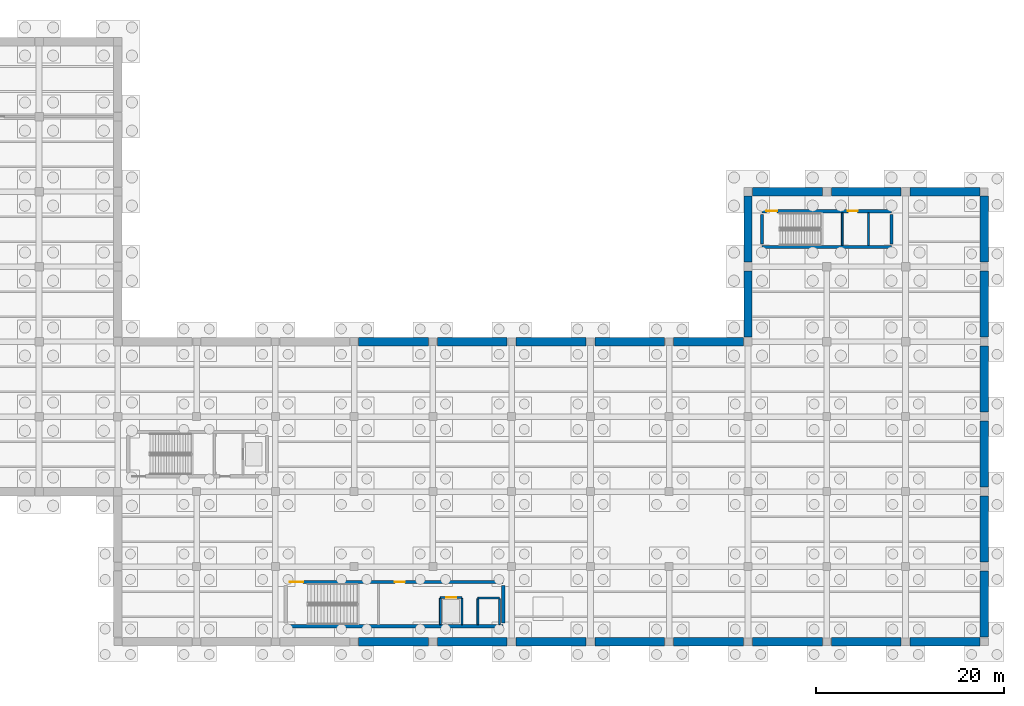
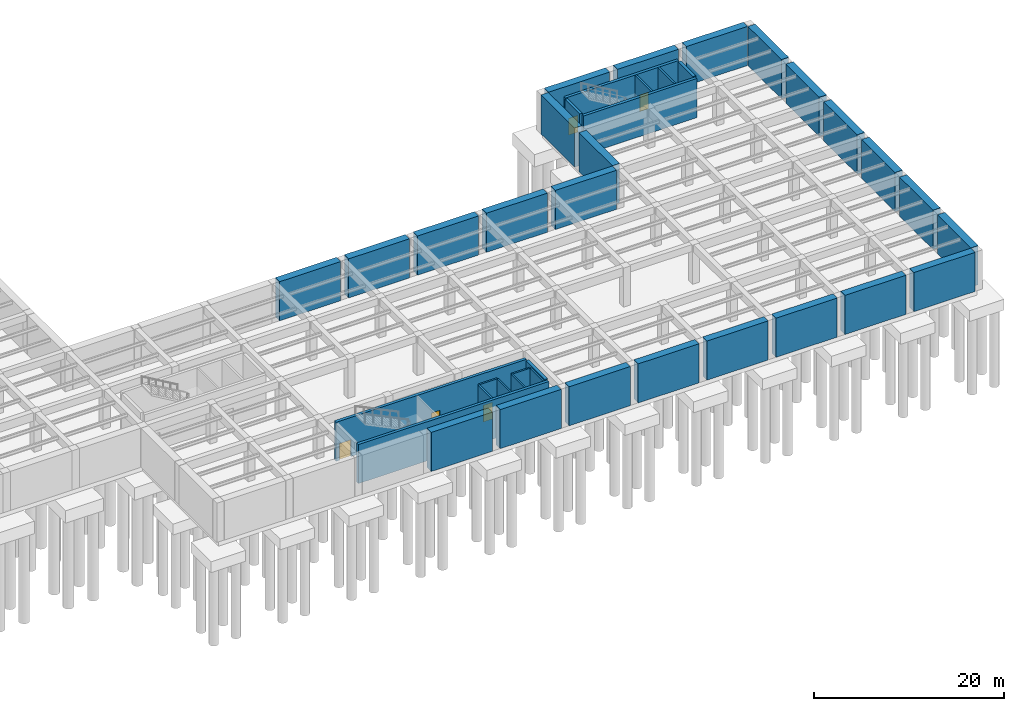
# One storey, part 7 of 12: 39 walls, 5 doors, 5 openings.
"""IFC4 building model written with IfcOpenShell, lengths in metres."""

from ifc_helpers import new_model, si_unit, direction, frame, frame_2d, origin, place, context, subcontext, project, spatial, rectangle, extrude, material, layer, layer_set, type_object, element, fill, save


model = new_model("IFC4")

# Units and contexts
model_context = context("Model", 3, precision=1e-05, world=origin(), true_north=direction((0.0, 1.0)))
body_context = subcontext(model_context, "Body", "Model", "MODEL_VIEW")
ifc_project = project(units=[si_unit("LENGTHUNIT", "METRE"), si_unit("AREAUNIT", "SQUARE_METRE"), si_unit("VOLUMEUNIT", "CUBIC_METRE"), si_unit("PLANEANGLEUNIT", "RADIAN"), si_unit("MASSUNIT", "GRAM", prefix="KILO")], contexts=[model_context])

# Site, building, storey
site_placement = place(None, origin())
site = spatial("IfcSite", under=ifc_project, at=site_placement, CompositionType="ELEMENT")
building_placement = place(site_placement, origin())
building = spatial("IfcBuilding", under=site, at=building_placement, Name="Kranzveld Transit Interchange", CompositionType="ELEMENT")
storey_placement = place(building_placement, frame((0.0, 0.0, -10.8798828125)))
storey = spatial("IfcBuildingStorey", under=building, at=storey_placement, Name="B2", CompositionType="ELEMENT", Elevation=-10.8798828125)

# Wall
ifc_material_1 = material(Name="Concrete C40/50", Category="concrete")
ifc_layer_1 = layer(ifc_material_1, 0.35009765625)
ifc_layer_set_1 = layer_set([ifc_layer_1], Name="Concrete C40/50")
wall_type_1 = type_object("IfcWallType", Name="Core Shear Wall RC 350 C40/50", PredefinedType="SHEAR", material=ifc_layer_set_1)
wall_1_placement = place(storey_placement, frame((102.300048828125, 74.090087890625, 0.0), z_axis=(0.0, 0.0, 1.0), x_axis=(1.0, 0.0, 0.0)))
element("IfcWall", 1, at=wall_1_placement, inside=storey, type_object=wall_type_1, Name="B2 Community Core C3 Shear Wall S", PredefinedType="SHEAR", context=body_context, shape_type="SweptSolid", body=[
    extrude(rectangle(XDim=13.800048828125, YDim=0.35009765625, at=frame_2d((6.89990234375, 0.0))), origin(), (0.0, 0.0, 1.0), 5.039794921875),
])

# Wall, openings, doors
wall_2_placement = place(storey_placement, frame((102.300048828125, 77.909912109375, 0.0), z_axis=(0.0, 0.0, 1.0), x_axis=(1.0, 0.0, 0.0)))
wall_2 = element("IfcWall", 2, at=wall_2_placement, inside=storey, type_object=wall_type_1, Name="B2 Community Core C3 Shear Wall N", PredefinedType="SHEAR", context=body_context, shape_type="SweptSolid", body=[
    extrude(rectangle(XDim=13.800048828125, YDim=0.35009765625, at=frame_2d((6.89990234375, 0.0))), origin(), (0.0, 0.0, 1.0), 5.039794921875),
])
opening_1_placement = place(wall_2_placement, frame((0.449951171875, 0.0, 0.0), z_axis=(0.0, 0.0, 1.0), x_axis=(1.0, 0.0, 0.0)))
opening_1 = element("IfcOpeningElement", 3, at=opening_1_placement, cuts=wall_2, Name="Opening D-ST-C3-B2", PredefinedType="OPENING", context=body_context, shape_type="SweptSolid", body=[
    extrude(rectangle(XDim=1.14990234375, YDim=2.14990234375, at=frame_2d((0.574951171875, 1.074951171875))), frame((0.0, 0.18505859375, 0.0), z_axis=(0.0, -1.0, 0.0), x_axis=(1.0, 0.0, 0.0)), (0.0, 0.0, 1.0), 0.3701171875),
])
opening_2_placement = place(wall_2_placement, frame((9.14990234375, 0.0, 0.0), z_axis=(0.0, 0.0, 1.0), x_axis=(1.0, 0.0, 0.0)))
opening_2 = element("IfcOpeningElement", 4, at=opening_2_placement, cuts=wall_2, Name="Opening D-LB-C3-B2", PredefinedType="OPENING", context=body_context, shape_type="SweptSolid", body=[
    extrude(rectangle(XDim=1.050048828125, YDim=2.14990234375, at=frame_2d((0.52490234375, 1.074951171875))), frame((0.0, 0.18505859375, 0.0), z_axis=(0.0, -1.0, 0.0), x_axis=(1.0, 0.0, 0.0)), (0.0, 0.0, 1.0), 0.3701171875),
])
ifc_material_2 = material(Name="Steel S355JR", Category="steel")
door_type_1 = type_object("IfcDoorType", Name="Lift Lobby Fire Door 1050x2150 FD120S", OperationType="NOTDEFINED", PredefinedType="DOOR", material=ifc_material_2)
door_1_placement = place(opening_2_placement, origin())
door_1 = element("IfcDoor", 5, at=door_1_placement, inside=storey, type_object=door_type_1, Name="B2 Community Core C3 Lift Protected Lobby Door", OperationType="SINGLE_SWING_RIGHT", OverallHeight=2.14990234375, OverallWidth=1.050048828125, PredefinedType="DOOR", context=body_context, shape_type="SweptSolid", body=[
    extrude(rectangle(XDim=1.050048828125, YDim=2.14990234375, at=frame_2d((0.52490234375, 1.074951171875))), frame((0.0, 0.02490234375, 0.0), z_axis=(0.0, -1.0, 0.0), x_axis=(1.0, 0.0, 0.0)), (0.0, 0.0, 1.0), 0.050048828125),
])
fill(opening_2, door_1)
ifc_material_3 = material(Name="Steel S355JR", Category="steel")
door_type_2 = type_object("IfcDoorType", Name="Stair Core Fire Door 1150x2150 FD120S", OperationType="NOTDEFINED", PredefinedType="DOOR", material=ifc_material_3)
door_2_placement = place(opening_1_placement, origin())
door_2 = element("IfcDoor", 6, at=door_2_placement, inside=storey, type_object=door_type_2, Name="B2 ST-V4A Protected Stair Door", OperationType="SINGLE_SWING_RIGHT", OverallHeight=2.14990234375, OverallWidth=1.14990234375, PredefinedType="DOOR", context=body_context, shape_type="SweptSolid", body=[
    extrude(rectangle(XDim=1.14990234375, YDim=2.14990234375, at=frame_2d((0.574951171875, 1.074951171875))), frame((0.0, 0.02490234375, 0.0), z_axis=(0.0, -1.0, 0.0), x_axis=(1.0, 0.0, 0.0)), (0.0, 0.0, 1.0), 0.050048828125),
])
fill(opening_1, door_2)

# Walls
for number, where, z_axis, x_axis, name in (
    (7, (102.300048828125, 74.43994140625, 0.0), (0.0, 0.0, 1.0), (0.0, 1.0, 0.0), "B2 Community Core C3 Shear Wall W"),
    (8, (116.10009765625, 74.43994140625, 0.0), (0.0, 0.0, 1.0), (0.0, 1.0, 0.0), "B2 Community Core C3 Shear Wall E"),
):
    element("IfcWall", number, at=place(storey_placement, frame(where, z_axis=z_axis, x_axis=x_axis)), inside=storey, type_object=wall_type_1, Name=name, PredefinedType="SHEAR", context=body_context, shape_type="SweptSolid", body=[
        extrude(rectangle(XDim=3.1201171875, YDim=0.35009765625, at=frame_2d((1.56005859375, 0.0))), origin(), (0.0, 0.0, 1.0), 5.039794921875),
    ])
wall_3_placement = place(storey_placement, frame((51.5, 33.639892578125, 0.0), z_axis=(0.0, 0.0, 1.0), x_axis=(1.0, 0.0, 0.0)))
element("IfcWall", 9, at=wall_3_placement, inside=storey, type_object=wall_type_1, Name="B2 Metro East & Bus Mezzanine Core C6 Shear Wall S", PredefinedType="SHEAR", context=body_context, shape_type="SweptSolid", body=[
    extrude(rectangle(XDim=23.199951171875, YDim=0.35009765625, at=frame_2d((11.60009765625, 0.0))), origin(), (0.0, 0.0, 1.0), 5.039794921875),
])

# Wall, openings, doors
wall_4_placement = place(storey_placement, frame((51.5, 38.360107421875, 0.0), z_axis=(0.0, 0.0, 1.0), x_axis=(1.0, 0.0, 0.0)))
wall_4 = element("IfcWall", 10, at=wall_4_placement, inside=storey, type_object=wall_type_1, Name="B2 Metro East & Bus Mezzanine Core C6 Shear Wall N", PredefinedType="SHEAR", context=body_context, shape_type="SweptSolid", body=[
    extrude(rectangle(XDim=23.199951171875, YDim=0.35009765625, at=frame_2d((11.60009765625, 0.0))), origin(), (0.0, 0.0, 1.0), 5.039794921875),
])
opening_3_placement = place(wall_4_placement, frame((0.449951171875, 0.0, 0.0), z_axis=(0.0, 0.0, 1.0), x_axis=(1.0, 0.0, 0.0)))
opening_3 = element("IfcOpeningElement", 11, at=opening_3_placement, cuts=wall_4, Name="Opening D-ST-C6-B2", PredefinedType="OPENING", context=body_context, shape_type="SweptSolid", body=[
    extrude(rectangle(XDim=1.39990234375, YDim=2.14990234375, at=frame_2d((0.699951171875, 1.074951171875))), frame((0.0, 0.18505859375, 0.0), z_axis=(0.0, -1.0, 0.0), x_axis=(1.0, 0.0, 0.0)), (0.0, 0.0, 1.0), 0.3701171875),
])
opening_4_placement = place(wall_4_placement, frame((11.64990234375, 0.0, 0.0), z_axis=(0.0, 0.0, 1.0), x_axis=(1.0, 0.0, 0.0)))
opening_4 = element("IfcOpeningElement", 12, at=opening_4_placement, cuts=wall_4, Name="Opening D-LB-C6-B2", PredefinedType="OPENING", context=body_context, shape_type="SweptSolid", body=[
    extrude(rectangle(XDim=1.050048828125, YDim=2.14990234375, at=frame_2d((0.52490234375, 1.074951171875))), frame((0.0, 0.18505859375, 0.0), z_axis=(0.0, -1.0, 0.0), x_axis=(1.0, 0.0, 0.0)), (0.0, 0.0, 1.0), 0.3701171875),
])
door_3_placement = place(opening_4_placement, origin())
door_3 = element("IfcDoor", 13, at=door_3_placement, inside=storey, type_object=door_type_1, Name="B2 Metro East & Bus Mezzanine Core C6 Lift Protected Lobby Door", OperationType="SINGLE_SWING_RIGHT", OverallHeight=2.14990234375, OverallWidth=1.050048828125, PredefinedType="DOOR", context=body_context, shape_type="SweptSolid", body=[
    extrude(rectangle(XDim=1.050048828125, YDim=2.14990234375, at=frame_2d((0.52490234375, 1.074951171875))), frame((0.0, 0.02490234375, 0.0), z_axis=(0.0, -1.0, 0.0), x_axis=(1.0, 0.0, 0.0)), (0.0, 0.0, 1.0), 0.050048828125),
])
fill(opening_4, door_3)
ifc_material_4 = material(Name="Steel S355JR", Category="steel")
door_type_3 = type_object("IfcDoorType", Name="Metro Stair Double Fire Door 1400x2150 FD120S", OperationType="NOTDEFINED", PredefinedType="DOOR", material=ifc_material_4)
door_4_placement = place(opening_3_placement, origin())
door_4 = element("IfcDoor", 14, at=door_4_placement, inside=storey, type_object=door_type_3, Name="B2 ST-M2 Protected Stair Door", OperationType="DOUBLE_DOOR_SINGLE_SWING", OverallHeight=2.14990234375, OverallWidth=1.39990234375, PredefinedType="DOOR", context=body_context, shape_type="SweptSolid", body=[
    extrude(rectangle(XDim=1.39990234375, YDim=2.14990234375, at=frame_2d((0.699951171875, 1.074951171875))), frame((0.0, 0.02490234375, 0.0), z_axis=(0.0, -1.0, 0.0), x_axis=(1.0, 0.0, 0.0)), (0.0, 0.0, 1.0), 0.050048828125),
])
fill(opening_3, door_4)

# Walls
wall_5_placement = place(storey_placement, frame((74.699951171875, 33.989990234375, 0.0), z_axis=(0.0, 0.0, 1.0), x_axis=(0.0, 1.0, 0.0)))
element("IfcWall", 15, at=wall_5_placement, inside=storey, type_object=wall_type_1, Name="B2 Metro East & Bus Mezzanine Core C6 Shear Wall E", PredefinedType="SHEAR", context=body_context, shape_type="SweptSolid", body=[
    extrude(rectangle(XDim=4.02001953125, YDim=0.35009765625, at=frame_2d((2.010009765625, 0.0))), origin(), (0.0, 0.0, 1.0), 5.039794921875),
])
ifc_material_5 = material(Name="Concrete C40/50", Category="concrete")
ifc_layer_2 = layer(ifc_material_5, 0.89990234375)
ifc_layer_set_2 = layer_set([ifc_layer_2], Name="Concrete C40/50")
wall_type_2 = type_object("IfcWallType", Name="Diaphragm Wall RC 900 C40/50", PredefinedType="SHEAR", material=ifc_layer_set_2)
wall_6_placement = place(storey_placement, frame((59.280029296875, 32.0, 0.0), z_axis=(0.0, 0.0, 1.0), x_axis=(1.0, 0.0, 0.0)))
element("IfcWall", 16, at=wall_6_placement, inside=storey, type_object=wall_type_2, Name="B2 Perimeter Retaining Wall 4", PredefinedType="SHEAR", context=body_context, shape_type="SweptSolid", body=[
    extrude(rectangle(XDim=7.43994140625, YDim=0.89990234375, at=frame_2d((3.719970703125, 0.0))), origin(), (0.0, 0.0, 1.0), 5.039794921875),
])
wall_7_placement = place(storey_placement, frame((67.679931640625, 32.0, 0.0), z_axis=(0.0, 0.0, 1.0), x_axis=(1.0, 0.0, 0.0)))
element("IfcWall", 17, at=wall_7_placement, inside=storey, type_object=wall_type_2, Name="B2 Perimeter Retaining Wall 5", PredefinedType="SHEAR", context=body_context, shape_type="SweptSolid", body=[
    extrude(rectangle(XDim=7.440185546875, YDim=0.89990234375, at=frame_2d((3.72021484375, 0.0))), origin(), (0.0, 0.0, 1.0), 5.039794921875),
])
for number, where, z_axis, x_axis, name in (
    (18, (76.080078125, 32.0, 0.0), (0.0, 0.0, 1.0), (1.0, 0.0, 0.0), "B2 Perimeter Retaining Wall 6"),
    (19, (84.47998046875, 32.0, 0.0), (0.0, 0.0, 1.0), (1.0, 0.0, 0.0), "B2 Perimeter Retaining Wall 7"),
):
    element("IfcWall", number, at=place(storey_placement, frame(where, z_axis=z_axis, x_axis=x_axis)), inside=storey, type_object=wall_type_2, Name=name, PredefinedType="SHEAR", context=body_context, shape_type="SweptSolid", body=[
        extrude(rectangle(XDim=7.43994140625, YDim=0.89990234375, at=frame_2d((3.719970703125, 0.0))), origin(), (0.0, 0.0, 1.0), 5.039794921875),
    ])
wall_8_placement = place(storey_placement, frame((92.8798828125, 32.0, 0.0), z_axis=(0.0, 0.0, 1.0), x_axis=(1.0, 0.0, 0.0)))
element("IfcWall", 20, at=wall_8_placement, inside=storey, type_object=wall_type_2, Name="B2 Perimeter Retaining Wall 8", PredefinedType="SHEAR", context=body_context, shape_type="SweptSolid", body=[
    extrude(rectangle(XDim=7.440185546875, YDim=0.89990234375, at=frame_2d((3.72021484375, 0.0))), origin(), (0.0, 0.0, 1.0), 5.039794921875),
])
wall_9_placement = place(storey_placement, frame((101.280029296875, 32.0, 0.0), z_axis=(0.0, 0.0, 1.0), x_axis=(1.0, 0.0, 0.0)))
element("IfcWall", 21, at=wall_9_placement, inside=storey, type_object=wall_type_2, Name="B2 Perimeter Retaining Wall 9", PredefinedType="SHEAR", context=body_context, shape_type="SweptSolid", body=[
    extrude(rectangle(XDim=7.43994140625, YDim=0.89990234375, at=frame_2d((3.719970703125, 0.0))), origin(), (0.0, 0.0, 1.0), 5.039794921875),
])
wall_10_placement = place(storey_placement, frame((109.679931640625, 32.0, 0.0), z_axis=(0.0, 0.0, 1.0), x_axis=(1.0, 0.0, 0.0)))
element("IfcWall", 22, at=wall_10_placement, inside=storey, type_object=wall_type_2, Name="B2 Perimeter Retaining Wall 10", PredefinedType="SHEAR", context=body_context, shape_type="SweptSolid", body=[
    extrude(rectangle(XDim=7.440185546875, YDim=0.89990234375, at=frame_2d((3.72021484375, 0.0))), origin(), (0.0, 0.0, 1.0), 5.039794921875),
])
for number, where, z_axis, x_axis, name in (
    (23, (118.080078125, 32.0, 0.0), (0.0, 0.0, 1.0), (1.0, 0.0, 0.0), "B2 Perimeter Retaining Wall 11"),
    (24, (59.280029296875, 64.0, 0.0), (0.0, 0.0, 1.0), (1.0, 0.0, 0.0), "B2 Perimeter Retaining Wall 35"),
):
    element("IfcWall", number, at=place(storey_placement, frame(where, z_axis=z_axis, x_axis=x_axis)), inside=storey, type_object=wall_type_2, Name=name, PredefinedType="SHEAR", context=body_context, shape_type="SweptSolid", body=[
        extrude(rectangle(XDim=7.43994140625, YDim=0.89990234375, at=frame_2d((3.719970703125, 0.0))), origin(), (0.0, 0.0, 1.0), 5.039794921875),
    ])
wall_11_placement = place(storey_placement, frame((67.679931640625, 64.0, 0.0), z_axis=(0.0, 0.0, 1.0), x_axis=(1.0, 0.0, 0.0)))
element("IfcWall", 25, at=wall_11_placement, inside=storey, type_object=wall_type_2, Name="B2 Perimeter Retaining Wall 36", PredefinedType="SHEAR", context=body_context, shape_type="SweptSolid", body=[
    extrude(rectangle(XDim=7.440185546875, YDim=0.89990234375, at=frame_2d((3.72021484375, 0.0))), origin(), (0.0, 0.0, 1.0), 5.039794921875),
])
for number, where, z_axis, x_axis, name in (
    (26, (76.080078125, 64.0, 0.0), (0.0, 0.0, 1.0), (1.0, 0.0, 0.0), "B2 Perimeter Retaining Wall 37"),
    (27, (84.47998046875, 64.0, 0.0), (0.0, 0.0, 1.0), (1.0, 0.0, 0.0), "B2 Perimeter Retaining Wall 38"),
):
    element("IfcWall", number, at=place(storey_placement, frame(where, z_axis=z_axis, x_axis=x_axis)), inside=storey, type_object=wall_type_2, Name=name, PredefinedType="SHEAR", context=body_context, shape_type="SweptSolid", body=[
        extrude(rectangle(XDim=7.43994140625, YDim=0.89990234375, at=frame_2d((3.719970703125, 0.0))), origin(), (0.0, 0.0, 1.0), 5.039794921875),
    ])
wall_12_placement = place(storey_placement, frame((92.8798828125, 64.0, 0.0), z_axis=(0.0, 0.0, 1.0), x_axis=(1.0, 0.0, 0.0)))
element("IfcWall", 28, at=wall_12_placement, inside=storey, type_object=wall_type_2, Name="B2 Perimeter Retaining Wall 39", PredefinedType="SHEAR", context=body_context, shape_type="SweptSolid", body=[
    extrude(rectangle(XDim=7.440185546875, YDim=0.89990234375, at=frame_2d((3.72021484375, 0.0))), origin(), (0.0, 0.0, 1.0), 5.039794921875),
])
for number, where, z_axis, x_axis, name in (
    (29, (100.800048828125, 64.47998046875, 0.0), (0.0, 0.0, 1.0), (0.0, 1.0, 0.0), "B2 Perimeter Retaining Wall 40"),
    (30, (100.800048828125, 72.47998046875, 0.0), (0.0, 0.0, 1.0), (0.0, 1.0, 0.0), "B2 Perimeter Retaining Wall 41"),
):
    element("IfcWall", number, at=place(storey_placement, frame(where, z_axis=z_axis, x_axis=x_axis)), inside=storey, type_object=wall_type_2, Name=name, PredefinedType="SHEAR", context=body_context, shape_type="SweptSolid", body=[
        extrude(rectangle(XDim=7.0400390625, YDim=0.89990234375, at=frame_2d((3.52001953125, 0.0))), origin(), (0.0, 0.0, 1.0), 5.039794921875),
    ])
wall_13_placement = place(storey_placement, frame((101.280029296875, 80.0, 0.0), z_axis=(0.0, 0.0, 1.0), x_axis=(1.0, 0.0, 0.0)))
element("IfcWall", 31, at=wall_13_placement, inside=storey, type_object=wall_type_2, Name="B2 Perimeter Retaining Wall 42", PredefinedType="SHEAR", context=body_context, shape_type="SweptSolid", body=[
    extrude(rectangle(XDim=7.43994140625, YDim=0.89990234375, at=frame_2d((3.719970703125, 0.0))), origin(), (0.0, 0.0, 1.0), 5.039794921875),
])
wall_14_placement = place(storey_placement, frame((109.679931640625, 80.0, 0.0), z_axis=(0.0, 0.0, 1.0), x_axis=(1.0, 0.0, 0.0)))
element("IfcWall", 32, at=wall_14_placement, inside=storey, type_object=wall_type_2, Name="B2 Perimeter Retaining Wall 43", PredefinedType="SHEAR", context=body_context, shape_type="SweptSolid", body=[
    extrude(rectangle(XDim=7.440185546875, YDim=0.89990234375, at=frame_2d((3.72021484375, 0.0))), origin(), (0.0, 0.0, 1.0), 5.039794921875),
])
wall_15_placement = place(storey_placement, frame((118.080078125, 80.0, 0.0), z_axis=(0.0, 0.0, 1.0), x_axis=(1.0, 0.0, 0.0)))
element("IfcWall", 33, at=wall_15_placement, inside=storey, type_object=wall_type_2, Name="B2 Perimeter Retaining Wall 44", PredefinedType="SHEAR", context=body_context, shape_type="SweptSolid", body=[
    extrude(rectangle(XDim=7.43994140625, YDim=0.89990234375, at=frame_2d((3.719970703125, 0.0))), origin(), (0.0, 0.0, 1.0), 5.039794921875),
])
for number, where, z_axis, x_axis, name in (
    (34, (126.0, 64.47998046875, 0.0), (0.0, 0.0, 1.0), (0.0, 1.0, 0.0), "B2 Perimeter Retaining Wall 45"),
    (35, (126.0, 72.47998046875, 0.0), (0.0, 0.0, 1.0), (0.0, 1.0, 0.0), "B2 Perimeter Retaining Wall 46"),
    (36, (126.0, 32.47998046875, 0.0), (0.0, 0.0, 1.0), (0.0, 1.0, 0.0), "B2 Perimeter Retaining Wall 47"),
    (37, (126.0, 40.47998046875, 0.0), (0.0, 0.0, 1.0), (0.0, 1.0, 0.0), "B2 Perimeter Retaining Wall 48"),
    (38, (126.0, 48.47998046875, 0.0), (0.0, 0.0, 1.0), (0.0, 1.0, 0.0), "B2 Perimeter Retaining Wall 49"),
    (39, (126.0, 56.47998046875, 0.0), (0.0, 0.0, 1.0), (0.0, 1.0, 0.0), "B2 Perimeter Retaining Wall 50"),
):
    element("IfcWall", number, at=place(storey_placement, frame(where, z_axis=z_axis, x_axis=x_axis)), inside=storey, type_object=wall_type_2, Name=name, PredefinedType="SHEAR", context=body_context, shape_type="SweptSolid", body=[
        extrude(rectangle(XDim=7.0400390625, YDim=0.89990234375, at=frame_2d((3.52001953125, 0.0))), origin(), (0.0, 0.0, 1.0), 5.039794921875),
    ])
ifc_material_6 = material(Name="Concrete C40/50", Category="concrete")
ifc_layer_3 = layer(ifc_material_6, 0.199951171875)
ifc_layer_set_3 = layer_set([ifc_layer_3], Name="Concrete C40/50")
wall_type_3 = type_object("IfcWallType", Name="Lift Shaft Enclosure Wall RC 200 EI120", PredefinedType="SHEAR", material=ifc_layer_set_3)
for number, where, z_axis, x_axis, name in (
    (40, (110.85009765625, 74.264892578125, 0.0), (0.0, 0.0, 1.0), (0.0, 1.0, 0.0), "B2 Community Core C3 Stair-Lobby Dividing Wall"),
    (41, (113.64990234375, 74.264892578125, 0.0), (0.0, 0.0, 1.0), (0.0, 1.0, 0.0), "B2 LF-V4A Shaft Front Wall"),
):
    element("IfcWall", number, at=place(storey_placement, frame(where, z_axis=z_axis, x_axis=x_axis)), inside=storey, type_object=wall_type_3, Name=name, PredefinedType="SHEAR", context=body_context, shape_type="SweptSolid", body=[
        extrude(rectangle(XDim=3.47021484375, YDim=0.199951171875, at=frame_2d((1.735107421875, 0.0))), origin(), (0.0, 0.0, 1.0), 5.039794921875),
    ])

# Wall, opening, door
wall_16_placement = place(storey_placement, frame((68.0, 36.715087890625, 0.0), z_axis=(0.0, 0.0, 1.0), x_axis=(1.0, 0.0, 0.0)))
wall_16 = element("IfcWall", 42, at=wall_16_placement, inside=storey, type_object=wall_type_3, Name="B2 LF-M2 Shaft Front Wall", PredefinedType="SHEAR", context=body_context, shape_type="SweptSolid", body=[
    extrude(rectangle(XDim=2.300048828125, YDim=0.199951171875, at=frame_2d((1.14990234375, 0.0))), origin(), (0.0, 0.0, 1.0), 5.039794921875),
])
opening_5_placement = place(wall_16_placement, frame((0.60009765625, 0.0, 0.0), z_axis=(0.0, 0.0, 1.0), x_axis=(1.0, 0.0, 0.0)))
opening_5 = element("IfcOpeningElement", 43, at=opening_5_placement, cuts=wall_16, Name="Opening LD-LF-M2-B2", PredefinedType="OPENING", context=body_context, shape_type="SweptSolid", body=[
    extrude(rectangle(XDim=1.10009765625, YDim=2.14990234375, at=frame_2d((0.550048828125, 1.074951171875))), frame((0.0, 0.10986328125, 0.0), z_axis=(0.0, -1.0, 0.0), x_axis=(1.0, 0.0, 0.0)), (0.0, 0.0, 1.0), 0.219970703125),
])
ifc_material_7 = material(Name="Steel S355JR", Category="steel")
door_type_4 = type_object("IfcDoorType", Name="Lift Landing Sliding Door 1100x2150 FD120S", OperationType="NOTDEFINED", PredefinedType="DOOR", material=ifc_material_7)
door_5_placement = place(opening_5_placement, origin())
door_5 = element("IfcDoor", 44, at=door_5_placement, inside=storey, type_object=door_type_4, Name="B2 LF-M2 Sliding Landing Door", OperationType="DOUBLE_DOOR_SLIDING", OverallHeight=2.14990234375, OverallWidth=1.10009765625, PredefinedType="DOOR", context=body_context, shape_type="SweptSolid", body=[
    extrude(rectangle(XDim=1.10009765625, YDim=2.14990234375, at=frame_2d((0.550048828125, 1.074951171875))), frame((0.0, 0.02490234375, 0.0), z_axis=(0.0, -1.0, 0.0), x_axis=(1.0, 0.0, 0.0)), (0.0, 0.0, 1.0), 0.050048828125),
])
fill(opening_5, door_5)

# Walls
for number, where, z_axis, x_axis, name in (
    (45, (68.0, 33.81494140625, 0.0), (0.0, 0.0, 1.0), (0.0, 1.0, 0.0), "B2 LF-M2 Shaft Side Wall W"),
    (46, (70.300048828125, 33.81494140625, 0.0), (0.0, 0.0, 1.0), (0.0, 1.0, 0.0), "B2 LF-M2 Shaft Side Wall E"),
):
    element("IfcWall", number, at=place(storey_placement, frame(where, z_axis=z_axis, x_axis=x_axis)), inside=storey, type_object=wall_type_3, Name=name, PredefinedType="SHEAR", context=body_context, shape_type="SweptSolid", body=[
        extrude(rectangle(XDim=2.800048828125, YDim=0.199951171875, at=frame_2d((1.39990234375, 0.0))), origin(), (0.0, 0.0, 1.0), 5.039794921875),
    ])
wall_17_placement = place(storey_placement, frame((72.0, 36.6650390625, 0.0), z_axis=(0.0, 0.0, 1.0), x_axis=(1.0, 0.0, 0.0)))
element("IfcWall", 47, at=wall_17_placement, inside=storey, type_object=wall_type_3, Name="B2 LF-B1 Shaft Front Wall", PredefinedType="SHEAR", context=body_context, shape_type="SweptSolid", body=[
    extrude(rectangle(XDim=2.300048828125, YDim=0.199951171875, at=frame_2d((1.14990234375, 0.0))), origin(), (0.0, 0.0, 1.0), 5.039794921875),
])
for number, where, z_axis, x_axis, name in (
    (48, (72.0, 33.81494140625, 0.0), (0.0, 0.0, 1.0), (0.0, 1.0, 0.0), "B2 LF-B1 Shaft Side Wall W"),
    (49, (74.300048828125, 33.81494140625, 0.0), (0.0, 0.0, 1.0), (0.0, 1.0, 0.0), "B2 LF-B1 Shaft Side Wall E"),
):
    element("IfcWall", number, at=place(storey_placement, frame(where, z_axis=z_axis, x_axis=x_axis)), inside=storey, type_object=wall_type_3, Name=name, PredefinedType="SHEAR", context=body_context, shape_type="SweptSolid", body=[
        extrude(rectangle(XDim=2.75, YDim=0.199951171875, at=frame_2d((1.375, 0.0))), origin(), (0.0, 0.0, 1.0), 5.039794921875),
    ])

save(model, "model.ifc")
